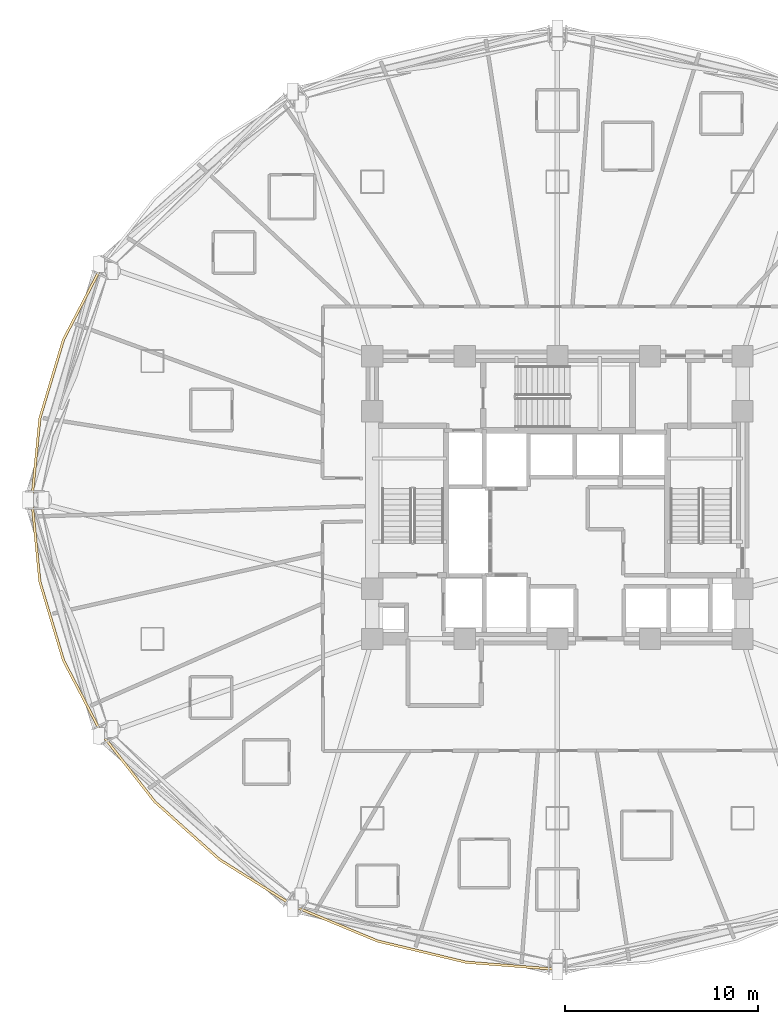
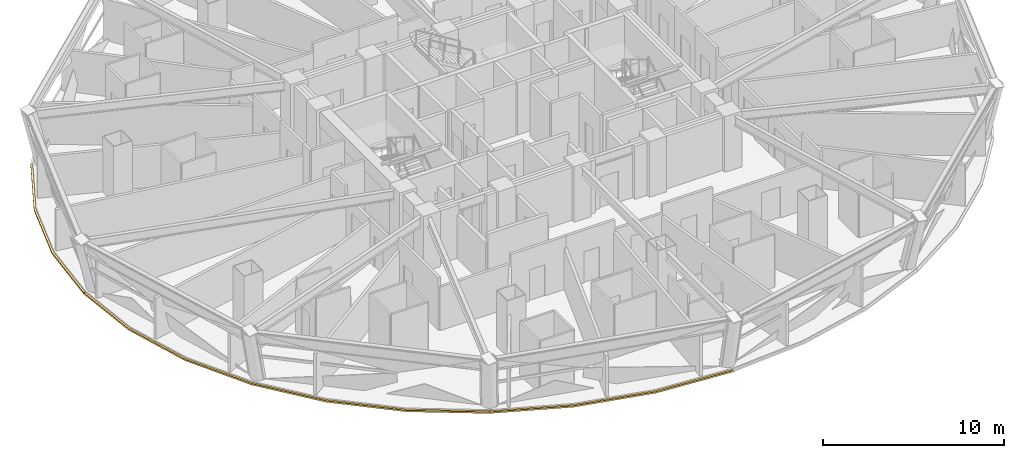
# One storey, part 10 of 13: 4 coverings.
"""IFC4 building model written with IfcOpenShell, lengths in metres."""

import ifcopenshell
import ifcopenshell.guid

model = None  # the IFC model being written
_history = None  # IfcOwnerHistory: only IFC2X3 demands one
_inside = {}  # id of a spatial element -> (the spatial element, [elements in it])
_under = {}  # id of a project, library or spatial element -> (it, [spatial elements below it])
_declared = {}  # id of a project -> (the project, [libraries it declares])
_typed = {}  # id of a type object -> (the type object, [elements of that type])
_made_of = {}  # id of a material, layer set ... -> (it, [elements and type objects made of it])


def new_model(schema):
    """Start an empty IFC model of exactly this schema.

    Asked for "IFC4X3", IfcOpenShell would pick the latest addendum, in which some entities
    have other attributes; the version numbers below select the first issue.
    IFC2X3 requires an IfcOwnerHistory on every rooted entity: one is made here for all.
    """
    global model, _history
    if schema == "IFC4X3":
        model = ifcopenshell.file(schema_version=(4, 3, 0, 0))
    else:
        model = ifcopenshell.file(schema=schema)
    _inside.clear()
    _under.clear()
    _declared.clear()
    _typed.clear()
    _made_of.clear()
    _history = None
    if model.schema == "IFC2X3":
        org = make("IfcOrganization", Name="unknown")
        user = make(
            "IfcPersonAndOrganization",
            ThePerson=make("IfcPerson", FamilyName="unknown"),
            TheOrganization=org,
        )
        app = make(
            "IfcApplication",
            ApplicationDeveloper=org,
            Version="unknown",
            ApplicationFullName="unknown",
            ApplicationIdentifier="unknown",
        )
        _history = make(
            "IfcOwnerHistory",
            OwningUser=user,
            OwningApplication=app,
            ChangeAction="ADDED",
            CreationDate=0,
        )
    return model


def make(cls, **values):
    """One entity of the class cls with the attributes given. An attribute that is None is left unset."""
    return model.create_entity(
        cls, **{name: value for name, value in values.items() if value is not None}
    )


def rooted(cls, **values):
    """An entity with a GlobalId (a new one), such as an element, a storey or a relation."""
    return make(cls, GlobalId=ifcopenshell.guid.new(), OwnerHistory=_history, **values)


def si_unit(unit_type, name, prefix=None):
    """IfcSIUnit, for example si_unit("LENGTHUNIT", "METRE", prefix="MILLI")."""
    return make("IfcSIUnit", UnitType=unit_type, Prefix=prefix, Name=name)


def assignment(units):
    """IfcUnitAssignment: the units of a project."""
    return None if units is None else make("IfcUnitAssignment", Units=units)


def point(xyz):
    """IfcCartesianPoint."""
    return None if xyz is None else make("IfcCartesianPoint", Coordinates=xyz)


def direction(xyz):
    """IfcDirection."""
    return None if xyz is None else make("IfcDirection", DirectionRatios=xyz)


def frame(location, z_axis=None, x_axis=None):
    """IfcAxis2Placement3D, a coordinate frame: its origin and axes. An axis left out is left unset."""
    return make(
        "IfcAxis2Placement3D",
        Location=point(location),
        Axis=direction(z_axis),
        RefDirection=direction(x_axis),
    )


def origin():
    """The frame at (0, 0, 0) with its axes left unset."""
    return frame((0.0, 0.0, 0.0))


def place(relative_to, where):
    """IfcLocalPlacement: puts the frame where relative to a parent placement (None: the world)."""
    return make(
        "IfcLocalPlacement", PlacementRelTo=relative_to, RelativePlacement=where
    )


def context(
    kind, dimensions, precision=None, world=None, true_north=None, identifier=None
):
    """IfcGeometricRepresentationContext, for example the 3D "Model" context."""
    return make(
        "IfcGeometricRepresentationContext",
        ContextIdentifier=identifier,
        ContextType=kind,
        CoordinateSpaceDimension=dimensions,
        Precision=precision,
        WorldCoordinateSystem=world,
        TrueNorth=true_north,
    )


def subcontext(parent, identifier, kind, view, scale=None):
    """IfcGeometricRepresentationSubContext, for example "Body" below "Model"."""
    return make(
        "IfcGeometricRepresentationSubContext",
        ContextIdentifier=identifier,
        ContextType=kind,
        ParentContext=parent,
        TargetScale=scale,
        TargetView=view,
    )


def project(units=None, contexts=None):
    """IfcProject with its units and contexts."""
    return rooted(
        "IfcProject",
        Name="project",
        RepresentationContexts=contexts,
        UnitsInContext=assignment(units),
    )


def spatial(cls, under=None, at=None, **own):
    """A site, building, storey or space (cls), placed at a placement, below another one or the project."""
    s = rooted(cls, ObjectPlacement=at, **own)
    if under is not None:
        _under.setdefault(under.id(), (under, []))[1].append(s)
    return s


def polyline(points):
    """IfcPolyline through the points."""
    return make("IfcPolyline", Points=[point(p) for p in points])


def outline(outer, holes=None, kind="AREA"):
    """IfcArbitraryClosedProfileDef: a profile drawn as a closed curve; with holes, ...WithVoids."""
    if holes is None:
        return make("IfcArbitraryClosedProfileDef", ProfileType=kind, OuterCurve=outer)
    return make(
        "IfcArbitraryProfileDefWithVoids",
        ProfileType=kind,
        OuterCurve=outer,
        InnerCurves=holes,
    )


def extrude(swept, where, along, depth):
    """IfcExtrudedAreaSolid: the profile swept, set in the frame where, extruded along a direction by depth."""
    return make(
        "IfcExtrudedAreaSolid",
        SweptArea=swept,
        Position=where,
        ExtrudedDirection=direction(along),
        Depth=depth,
    )


def shape(context_of_items, identifier, shape_type, items):
    """IfcShapeRepresentation: the items that make up one representation, for example the "Body"."""
    return make(
        "IfcShapeRepresentation",
        ContextOfItems=context_of_items,
        RepresentationIdentifier=identifier,
        RepresentationType=shape_type,
        Items=items,
    )


def material(Name=None, Category=None):
    """IfcMaterial."""
    return make("IfcMaterial", Name=Name, Category=Category)


def layer(
    of_material, thickness, ventilated=None, Name=None, Category=None, Priority=None
):
    """IfcMaterialLayer: one layer of a wall or slab, of a material (None: an air gap)."""
    return make(
        "IfcMaterialLayer",
        Material=of_material,
        LayerThickness=thickness,
        IsVentilated=ventilated,
        Name=Name,
        Category=Category,
        Priority=Priority,
    )


def layer_set(layers, Name=None):
    """IfcMaterialLayerSet."""
    return make("IfcMaterialLayerSet", MaterialLayers=layers, LayerSetName=Name)


def made_of(thing, what):
    """Note that an element or type object is made of a material, layer set ...; save() writes the relation."""
    if what is not None:
        _made_of.setdefault(what.id(), (what, []))[1].append(thing)
    return thing


def type_object(cls, material=None, **own):
    """A type object (cls), such as IfcWallType, which elements share."""
    return made_of(rooted(cls, **own), material)


def element(
    cls,
    number,
    at=None,
    inside=None,
    cuts=None,
    type_object=None,
    material=None,
    context=None,
    identifier="Body",
    shape_type=None,
    held_by="IfcProductDefinitionShape",
    body=None,
    shapes=None,
    **own,
):
    """One element of the class cls, such as IfcWall. Its Tag is "e" and its number.

    at: its placement. inside: the storey or other place that contains it. cuts: it is an
    opening in that element (IfcRelVoidsElement). A single representation is given by context,
    identifier, shape_type and body (its items); several are given by shapes. held_by: the class
    of the entity that holds the representations. save() writes the other relations.
    """
    e = rooted(cls, Tag="e%d" % number, ObjectPlacement=at, **own)
    if body is not None:
        shapes = [shape(context, identifier, shape_type, body)]
    if shapes is not None:
        e.Representation = make(held_by, Representations=shapes)
    if inside is not None:
        _inside.setdefault(inside.id(), (inside, []))[1].append(e)
    if cuts is not None:
        rooted(
            "IfcRelVoidsElement", RelatingBuildingElement=cuts, RelatedOpeningElement=e
        )
    if type_object is not None:
        _typed.setdefault(type_object.id(), (type_object, []))[1].append(e)
    return made_of(e, material)


def aggregate(whole, parts):
    """IfcRelAggregates: a whole, such as a stair, and the parts it consists of."""
    return rooted("IfcRelAggregates", RelatingObject=whole, RelatedObjects=parts)


def save(model, path):
    """Write the relations noted so far, then the file.

    IfcRelAggregates (storeys below a building ...), IfcRelContainedInSpatialStructure (elements
    in a storey), IfcRelDefinesByType, IfcRelAssociatesMaterial and IfcRelDeclares: one each for
    every whole, place, type object, material and project.
    """
    for whole, parts in _under.values():
        aggregate(whole, parts)
    for where, things in _inside.values():
        rooted(
            "IfcRelContainedInSpatialStructure",
            RelatedElements=things,
            RelatingStructure=where,
        )
    for kind, things in _typed.values():
        rooted("IfcRelDefinesByType", RelatedObjects=things, RelatingType=kind)
    for what, things in _made_of.values():
        rooted("IfcRelAssociatesMaterial", RelatedObjects=things, RelatingMaterial=what)
    for by, libraries in _declared.values():
        rooted("IfcRelDeclares", RelatingContext=by, RelatedDefinitions=libraries)
    model.write(path)


model = new_model("IFC4")

# Units and contexts
model_context = context("Model", 3, precision=1e-05, world=origin(), true_north=direction((0.0, 1.0)))
body_context = subcontext(model_context, "Body", "Model", "MODEL_VIEW")
ifc_project = project(units=[si_unit("LENGTHUNIT", "METRE"), si_unit("AREAUNIT", "SQUARE_METRE"), si_unit("VOLUMEUNIT", "CUBIC_METRE"), si_unit("PLANEANGLEUNIT", "RADIAN"), si_unit("MASSUNIT", "GRAM", prefix="KILO")], contexts=[model_context])

# Site, building, storey
site_placement = place(None, origin())
site = spatial("IfcSite", under=ifc_project, at=site_placement, CompositionType="ELEMENT")
building_placement = place(site_placement, origin())
building = spatial("IfcBuilding", under=site, at=building_placement, Name="Vantalir Tower", CompositionType="ELEMENT")
storey_placement = place(building_placement, frame((0.0, 0.0, 53.25)))
storey = spatial("IfcBuildingStorey", under=building, at=storey_placement, Name="L12", CompositionType="ELEMENT", Elevation=53.25)

# Coverings
ifc_material = material(Name="Anodised champagne aluminium sill fascia", Category="aluminium")
ifc_layer = layer(ifc_material, 0.125)
ifc_layer_set = layer_set([ifc_layer], Name="Anodised champagne aluminium sill fascia")
covering_type = type_object("IfcCoveringType", Name="COV-SLAB-FASCIA-125", PredefinedType="CLADDING", material=ifc_layer_set)
covering_1_placement = place(storey_placement, frame((0.0, 0.0, -0.179931640625)))
element("IfcCovering", 1, at=covering_1_placement, inside=storey, type_object=covering_type, Name="L12 Perimeter Slab-Edge Sill Fascia 06", PredefinedType="CLADDING", context=body_context, shape_type="SweptSolid", body=[
    extrude(outline(polyline([(7.844970703125, 37.199951171875), (5.8330078125, 33.345947265625), (4.60107421875, 29.237060546875), (4.18603515625, 25.0), (4.31103515625, 25.0), (4.72412109375, 29.215087890625), (5.950927734375, 33.302978515625), (7.9541015625, 37.137939453125), (7.844970703125, 37.199951171875)])), origin(), (0.0, 0.0, 1.0), 0.10498046875),
])
covering_2_placement = place(storey_placement, frame((0.0, 0.0, -0.179931640625)))
element("IfcCovering", 2, at=covering_2_placement, inside=storey, type_object=covering_type, Name="L12 Perimeter Slab-Edge Sill Fascia 07", PredefinedType="CLADDING", context=body_context, shape_type="SweptSolid", body=[
    extrude(outline(polyline([(4.18603515625, 25.0), (4.60107421875, 20.762939453125), (5.8330078125, 16.654052734375), (7.844970703125, 12.799072265625), (7.9541015625, 12.862060546875), (5.950927734375, 16.697021484375), (4.72412109375, 20.784912109375), (4.31103515625, 25.0), (4.18603515625, 25.0)])), origin(), (0.0, 0.0, 1.0), 0.10498046875),
])
covering_3_placement = place(storey_placement, frame((0.0, 0.0, -0.179931640625)))
element("IfcCovering", 3, at=covering_3_placement, inside=storey, type_object=covering_type, Name="L12 Perimeter Slab-Edge Sill Fascia 08", PredefinedType="CLADDING", context=body_context, shape_type="SweptSolid", body=[
    extrude(outline(polyline([(7.844970703125, 12.799072265625), (10.575927734375, 9.31494140625), (13.943115234375, 6.30810546875), (17.843017578125, 3.867919921875), (17.905029296875, 3.97607421875), (14.02294921875, 6.404052734375), (10.672119140625, 9.39599609375), (7.9541015625, 12.862060546875), (7.844970703125, 12.799072265625)])), origin(), (0.0, 0.0, 1.0), 0.10498046875),
])
covering_4_placement = place(storey_placement, frame((0.0, 0.0, -0.179931640625)))
element("IfcCovering", 4, at=covering_4_placement, inside=storey, type_object=covering_type, Name="L12 Perimeter Slab-Edge Sill Fascia 09", PredefinedType="CLADDING", context=body_context, shape_type="SweptSolid", body=[
    extrude(outline(polyline([(17.843017578125, 3.867919921875), (22.157958984375, 2.071044921875), (26.757080078125, 0.969970703125), (31.5, 0.59912109375), (31.5, 0.72412109375), (26.779052734375, 1.093017578125), (22.200927734375, 2.18798828125), (17.905029296875, 3.97607421875), (17.843017578125, 3.867919921875)])), origin(), (0.0, 0.0, 1.0), 0.10498046875),
])

save(model, "model.ifc")
